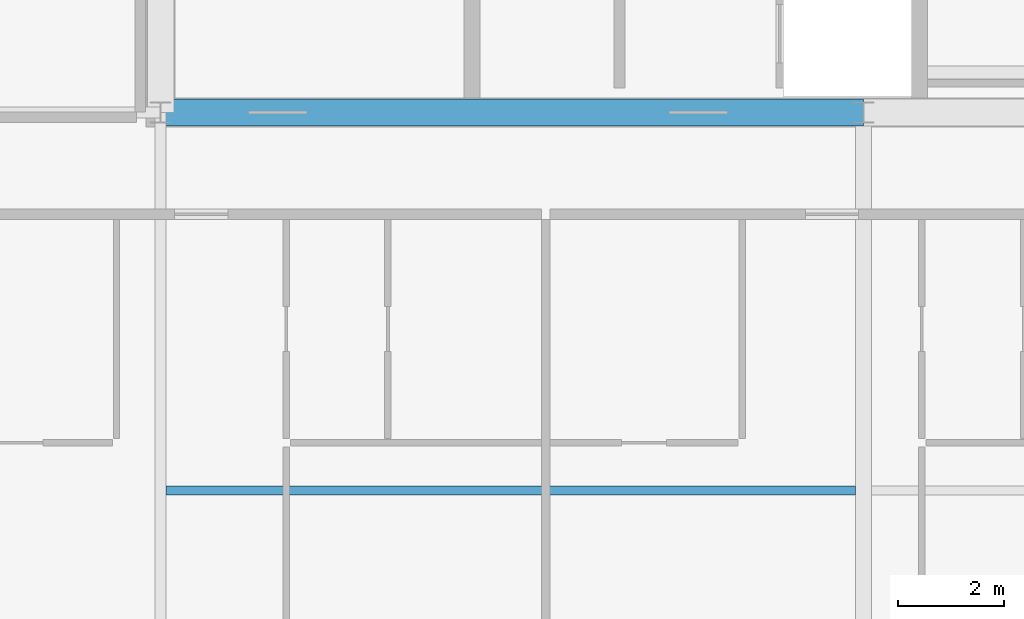
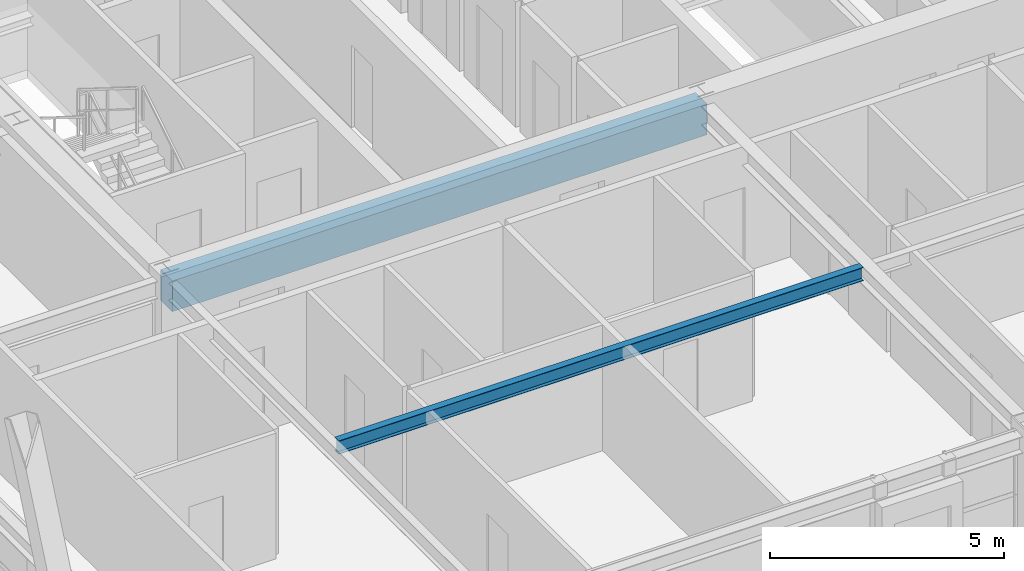
# One storey, part 8 of 35: 2 beams.
"""IFC4 building model written with IfcOpenShell, lengths in metres."""

from ifc_helpers import new_model, si_unit, direction, frame, origin, origin_2d, place, context, subcontext, project, spatial, rectangle, i_section, extrude, source, transform, mapped, material, material_profile, profile_set, type_object, element, save


model = new_model("IFC4")

# Units and contexts
model_context = context("Model", 3, precision=1e-05, world=origin(), true_north=direction((0.0, 1.0)))
body_context = subcontext(model_context, "Body", "Model", "MODEL_VIEW")
ifc_project = project(units=[si_unit("LENGTHUNIT", "METRE"), si_unit("AREAUNIT", "SQUARE_METRE"), si_unit("VOLUMEUNIT", "CUBIC_METRE"), si_unit("PLANEANGLEUNIT", "RADIAN"), si_unit("MASSUNIT", "GRAM", prefix="KILO"), si_unit("THERMODYNAMICTEMPERATUREUNIT", "KELVIN"), si_unit("POWERUNIT", "WATT")], contexts=[model_context])

# Site, building, storey
site_placement = place(None, origin())
site = spatial("IfcSite", under=ifc_project, at=site_placement, CompositionType="ELEMENT")
building_placement = place(site_placement, origin())
building = spatial("IfcBuilding", under=site, at=building_placement, Name="Yuzanri Waterfront Tower", CompositionType="ELEMENT")
storey_placement = place(building_placement, frame((0.0, 0.0, 248.60009765625)))
storey = spatial("IfcBuildingStorey", under=building, at=storey_placement, Name="L66", CompositionType="ELEMENT", Elevation=248.60009765625)

# Beams
ifc_material_1 = material(Name="Concrete C50", Category="concrete")
ifc_material_profile_1 = material_profile(ifc_material_1, rectangle(XDim=0.5, YDim=0.800048828125, at=origin_2d()), Name="RC 500x800")
ifc_profile_set_1 = profile_set([ifc_material_profile_1], Name="Concrete C50")
beam_type_1 = type_object("IfcBeamType", Name="Core Coupling Lintel Concrete C50 500x800", PredefinedType="LINTEL", material=ifc_profile_set_1)
shared_shape_1 = source(origin(), body_context, "Body", "SweptSolid", [
    extrude(rectangle(XDim=0.5, YDim=0.800048828125, at=origin_2d()), origin(), (0.0, 0.0, 1.0), 13.199951171875),
])
beam_1_placement = place(storey_placement, frame((23.800048828125, 19.39990234375, 2.8798828125), z_axis=(1.0, 0.0, 0.0), x_axis=(0.0, 1.0, 0.0)))
element("IfcBeam", 1, at=beam_1_placement, inside=storey, type_object=beam_type_1, Name="L66 Core Tie Beam CS1", PredefinedType="LINTEL", context=body_context, shape_type="MappedRepresentation", body=[
    mapped(shared_shape_1, transform((0.0, 0.0, 0.0), scale=1.0)),
])
ifc_material_2 = material(Name="Steel Q355B", Category="steel")
ifc_material_profile_2 = material_profile(ifc_material_2, i_section(OverallWidth=0.175048828125, OverallDepth=0.35009765625, WebThickness=0.007080078125, FlangeThickness=0.010986328125, at=origin_2d()), Name="HN 350x175x7x11")
ifc_profile_set_2 = profile_set([ifc_material_profile_2], Name="Steel Q355B")
beam_type_2 = type_object("IfcBeamType", Name="Floor Joist Q355B HN 350x175", PredefinedType="JOIST", material=ifc_profile_set_2)
shared_shape_2 = source(origin(), body_context, "Body", "SweptSolid", [
    extrude(i_section(OverallWidth=0.175048828125, OverallDepth=0.35009765625, WebThickness=0.007080078125, FlangeThickness=0.010986328125, at=origin_2d()), origin(), (0.0, 0.0, 1.0), 12.9501953125),
])
beam_2_placement = place(storey_placement, frame((23.89990234375, 12.300048828125, 3.10498046875), z_axis=(1.0, 0.0, 0.0), x_axis=(0.0, 1.0, 0.0)))
element("IfcBeam", 2, at=beam_2_placement, inside=storey, type_object=beam_type_2, Name="L66 South Bay Joist W", PredefinedType="JOIST", context=body_context, shape_type="MappedRepresentation", body=[
    mapped(shared_shape_2, transform((0.0, 0.0, 0.0), scale=1.0)),
])

save(model, "model.ifc")
